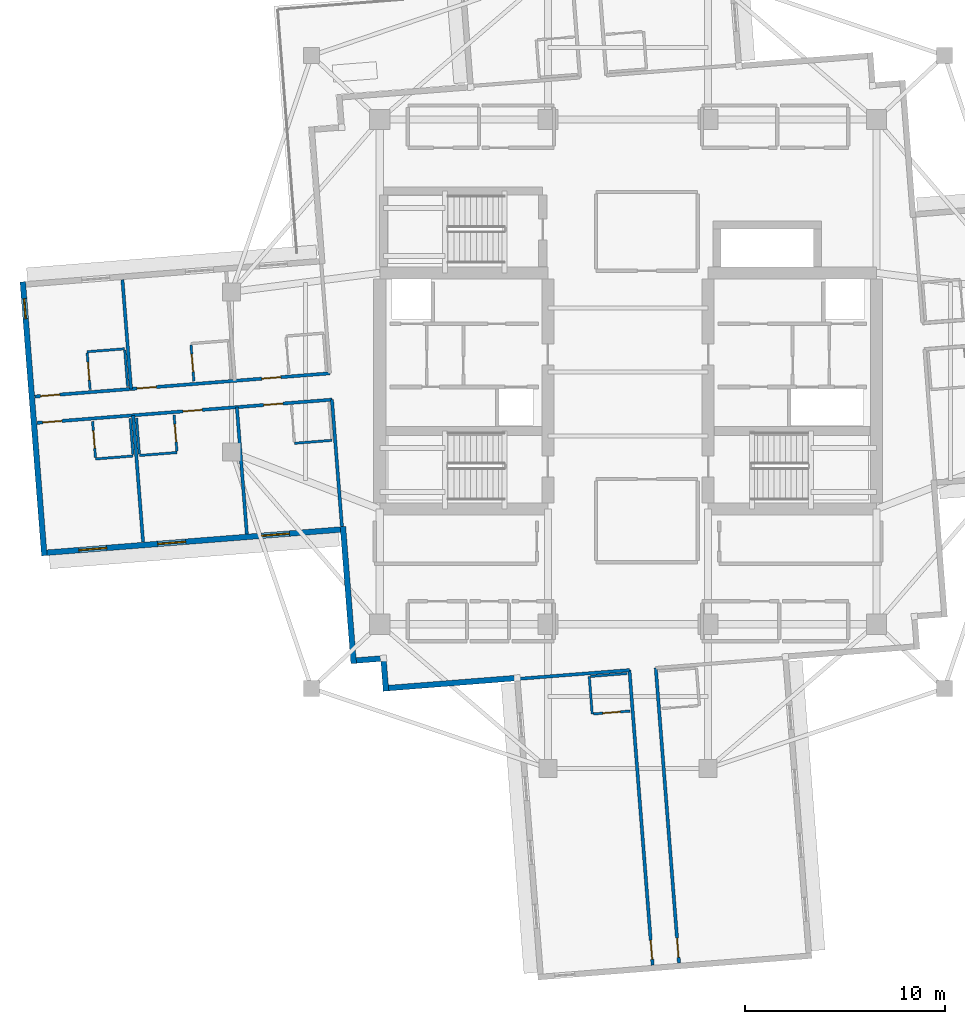
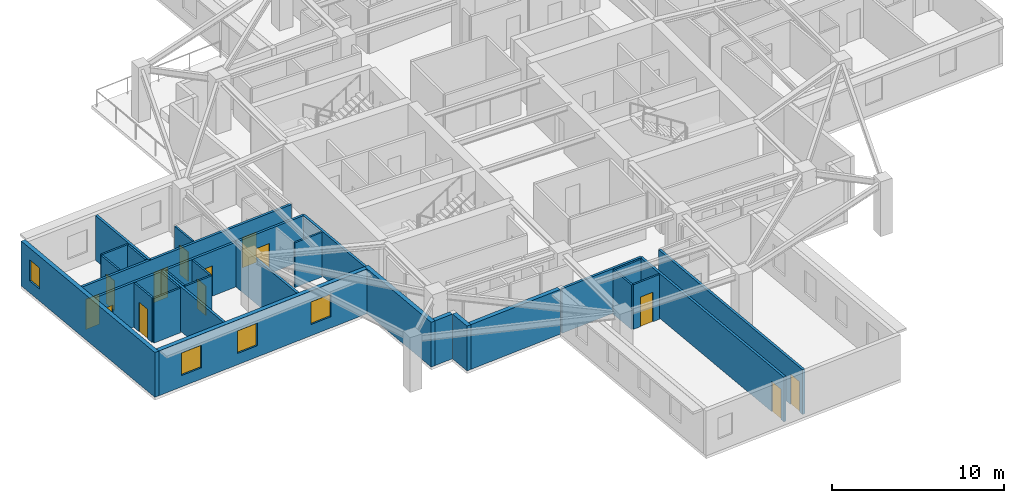
# One storey, part 3 of 13: 29 walls, 13 doors, 4 windows, 17 openings.
"""IFC4 building model written with IfcOpenShell, lengths in metres."""

from ifc_helpers import new_model, si_unit, direction, frame, frame_2d, origin, place, context, subcontext, project, spatial, rectangle, extrude, material, layer, layer_set, type_object, element, fill, save


model = new_model("IFC4")

# Units and contexts
model_context = context("Model", 3, precision=1e-05, world=origin(), true_north=direction((0.0, 1.0)))
body_context = subcontext(model_context, "Body", "Model", "MODEL_VIEW")
ifc_project = project(units=[si_unit("LENGTHUNIT", "METRE"), si_unit("AREAUNIT", "SQUARE_METRE"), si_unit("VOLUMEUNIT", "CUBIC_METRE"), si_unit("PLANEANGLEUNIT", "RADIAN"), si_unit("MASSUNIT", "GRAM", prefix="KILO")], contexts=[model_context])

# Site, building, storey
site_placement = place(None, origin())
site = spatial("IfcSite", under=ifc_project, at=site_placement, CompositionType="ELEMENT")
building_placement = place(site_placement, origin())
building = spatial("IfcBuilding", under=site, at=building_placement, Name="Qingluan Cross Belvedere", CompositionType="ELEMENT")
storey_placement = place(building_placement, frame((0.0, 0.0, 205.199951171875)))
storey = spatial("IfcBuildingStorey", under=building, at=storey_placement, Name="L51", CompositionType="ELEMENT", Elevation=205.199951171875)

# Wall, openings, doors
ifc_material_1 = material(Name="Gypsum plasterboard on steel stud acoustic partition", Category="steel")
ifc_layer_1 = layer(ifc_material_1, 0.159912109375, Name="CorridorPartition_160")
ifc_layer_set_1 = layer_set([ifc_layer_1], Name="Gypsum plasterboard on steel stud acoustic partition")
wall_type_1 = type_object("IfcWallType", Name="CorridorPartition_160", PredefinedType="PARTITIONING", material=ifc_layer_set_1)
wall_1_placement = place(storey_placement, frame((-14.890380859375, -0.068603515625, 0.0), z_axis=(0.0, 0.0, 1.0), x_axis=(-0.996917997344, -0.078450663299, 0.0)))
wall_1 = element("IfcWall", 1, at=wall_1_placement, inside=storey, type_object=wall_type_1, Name="Partition L51:W:c0", PredefinedType="PARTITIONING", context=body_context, shape_type="SweptSolid", body=[
    extrude(rectangle(XDim=14.7822265625, YDim=0.159912109375, at=frame_2d((7.39111328125, 0.0))), origin(), (0.0, 0.0, 1.0), 3.170166015625),
])
opening_1_placement = place(wall_1_placement, frame((2.4560546875, 0.0, 0.0)))
opening_1 = element("IfcOpeningElement", 2, at=opening_1_placement, cuts=wall_1, Name="Opening GD-10", PredefinedType="OPENING", context=body_context, shape_type="SweptSolid", body=[
    extrude(rectangle(XDim=0.9599609375, YDim=2.14990234375, at=frame_2d((0.47998046875, 1.074951171875))), frame((0.0, 0.08984375, 0.0), z_axis=(0.0, -1.0, 0.0), x_axis=(1.0, 0.0, 0.0)), (0.0, 0.0, 1.0), 0.179931640625),
])
opening_2_placement = place(wall_1_placement, frame((8.700927734375, 0.0, 0.0)))
opening_2 = element("IfcOpeningElement", 3, at=opening_2_placement, cuts=wall_1, Name="Opening GD-10", PredefinedType="OPENING", context=body_context, shape_type="SweptSolid", body=[
    extrude(rectangle(XDim=0.9599609375, YDim=2.14990234375, at=frame_2d((0.47998046875, 1.074951171875))), frame((0.0, 0.08984375, 0.0), z_axis=(0.0, -1.0, 0.0), x_axis=(1.0, 0.0, 0.0)), (0.0, 0.0, 1.0), 0.179931640625),
])
opening_3_placement = place(wall_1_placement, frame((13.530029296875, 0.0, 0.0)))
opening_3 = element("IfcOpeningElement", 4, at=opening_3_placement, cuts=wall_1, Name="Opening GD-10", PredefinedType="OPENING", context=body_context, shape_type="SweptSolid", body=[
    extrude(rectangle(XDim=0.9599609375, YDim=2.14990234375, at=frame_2d((0.47998046875, 1.074951171875))), frame((0.0, 0.08984375, 0.0), z_axis=(0.0, -1.0, 0.0), x_axis=(1.0, 0.0, 0.0)), (0.0, 0.0, 1.0), 0.179931640625),
])
ifc_material_2 = material(Name="Timber oak fire-rated acoustic guestroom door", Category="wood")
door_type_1 = type_object("IfcDoorType", Name="GuestEntryDoor_FD60", OperationType="NOTDEFINED", PredefinedType="DOOR", material=ifc_material_2)
door_1_placement = place(opening_1_placement, origin())
door_1 = element("IfcDoor", 5, at=door_1_placement, inside=storey, type_object=door_type_1, Name="Guest entry fire door 5107", OperationType="SINGLE_SWING_LEFT", OverallHeight=2.14990234375, OverallWidth=0.9599609375, PredefinedType="DOOR", context=body_context, shape_type="SweptSolid", body=[
    extrude(rectangle(XDim=0.9599609375, YDim=2.14990234375, at=frame_2d((0.47998046875, 1.074951171875))), frame((0.0, 0.02490234375, 0.0), z_axis=(0.0, -1.0, 0.0), x_axis=(1.0, 0.0, 0.0)), (0.0, 0.0, 1.0), 0.050048828125),
])
fill(opening_1, door_1)
door_2_placement = place(opening_2_placement, origin())
door_2 = element("IfcDoor", 6, at=door_2_placement, inside=storey, type_object=door_type_1, Name="Guest entry fire door 5108", OperationType="SINGLE_SWING_LEFT", OverallHeight=2.14990234375, OverallWidth=0.9599609375, PredefinedType="DOOR", context=body_context, shape_type="SweptSolid", body=[
    extrude(rectangle(XDim=0.9599609375, YDim=2.14990234375, at=frame_2d((0.47998046875, 1.074951171875))), frame((0.0, 0.02490234375, 0.0), z_axis=(0.0, -1.0, 0.0), x_axis=(1.0, 0.0, 0.0)), (0.0, 0.0, 1.0), 0.050048828125),
])
fill(opening_2, door_2)
door_3_placement = place(opening_3_placement, origin())
door_3 = element("IfcDoor", 7, at=door_3_placement, inside=storey, type_object=door_type_1, Name="Guest entry fire door 5109", OperationType="SINGLE_SWING_LEFT", OverallHeight=2.14990234375, OverallWidth=0.9599609375, PredefinedType="DOOR", context=body_context, shape_type="SweptSolid", body=[
    extrude(rectangle(XDim=0.9599609375, YDim=2.14990234375, at=frame_2d((0.47998046875, 1.074951171875))), frame((0.0, 0.02490234375, 0.0), z_axis=(0.0, -1.0, 0.0), x_axis=(1.0, 0.0, 0.0)), (0.0, 0.0, 1.0), 0.050048828125),
])
fill(opening_3, door_3)

# Wall
wall_2_placement = place(storey_placement, frame((-24.82080078125, -0.85009765625, 0.0), z_axis=(0.0, 0.0, 1.0), x_axis=(-0.078480781753, 0.996915626769, 0.0)))
element("IfcWall", 8, at=wall_2_placement, inside=storey, type_object=wall_type_1, Name="Partition L51:W:d0_1", PredefinedType="PARTITIONING", context=body_context, shape_type="SweptSolid", body=[
    extrude(rectangle(XDim=5.471923828125, YDim=0.159912109375, at=frame_2d((2.73583984375, 0.0))), origin(), (0.0, 0.0, 1.0), 3.170166015625),
])

# Wall, openings, doors
wall_3_placement = place(storey_placement, frame((-14.787109375, -1.384521484375, 0.0), z_axis=(0.0, 0.0, 1.0), x_axis=(-0.996917895694, -0.078451955012, 0.0)))
wall_3 = element("IfcWall", 9, at=wall_3_placement, inside=storey, type_object=wall_type_1, Name="Partition L51:W:c1", PredefinedType="PARTITIONING", context=body_context, shape_type="SweptSolid", body=[
    extrude(rectangle(XDim=14.781982421875, YDim=0.159912109375, at=frame_2d((7.39111328125, 0.0))), origin(), (0.0, 0.0, 1.0), 3.170166015625),
])
opening_4_placement = place(wall_3_placement, frame((2.4560546875, 0.0, 0.0)))
opening_4 = element("IfcOpeningElement", 10, at=opening_4_placement, cuts=wall_3, Name="Opening GD-10", PredefinedType="OPENING", context=body_context, shape_type="SweptSolid", body=[
    extrude(rectangle(XDim=0.9599609375, YDim=2.14990234375, at=frame_2d((0.47998046875, 1.074951171875))), frame((0.0, 0.08984375, 0.0), z_axis=(0.0, -1.0, 0.0), x_axis=(1.0, 0.0, 0.0)), (0.0, 0.0, 1.0), 0.179931640625),
])
opening_5_placement = place(wall_3_placement, frame((6.5009765625, 0.0, 0.0)))
opening_5 = element("IfcOpeningElement", 11, at=opening_5_placement, cuts=wall_3, Name="Opening GD-10", PredefinedType="OPENING", context=body_context, shape_type="SweptSolid", body=[
    extrude(rectangle(XDim=0.9599609375, YDim=2.14990234375, at=frame_2d((0.47998046875, 1.074951171875))), frame((0.0, 0.08984375, 0.0), z_axis=(0.0, -1.0, 0.0), x_axis=(1.0, 0.0, 0.0)), (0.0, 0.0, 1.0), 0.179931640625),
])
opening_6_placement = place(wall_3_placement, frame((13.530029296875, 0.0, 0.0)))
opening_6 = element("IfcOpeningElement", 12, at=opening_6_placement, cuts=wall_3, Name="Opening GD-10", PredefinedType="OPENING", context=body_context, shape_type="SweptSolid", body=[
    extrude(rectangle(XDim=0.9599609375, YDim=2.14990234375, at=frame_2d((0.47998046875, 1.074951171875))), frame((0.0, 0.08984375, 0.0), z_axis=(0.0, -1.0, 0.0), x_axis=(1.0, 0.0, 0.0)), (0.0, 0.0, 1.0), 0.179931640625),
])
door_4_placement = place(opening_4_placement, origin())
door_4 = element("IfcDoor", 13, at=door_4_placement, inside=storey, type_object=door_type_1, Name="Guest entry fire door 5110", OperationType="SINGLE_SWING_LEFT", OverallHeight=2.14990234375, OverallWidth=0.9599609375, PredefinedType="DOOR", context=body_context, shape_type="SweptSolid", body=[
    extrude(rectangle(XDim=0.9599609375, YDim=2.14990234375, at=frame_2d((0.47998046875, 1.074951171875))), frame((0.0, 0.02490234375, 0.0), z_axis=(0.0, -1.0, 0.0), x_axis=(1.0, 0.0, 0.0)), (0.0, 0.0, 1.0), 0.050048828125),
])
fill(opening_4, door_4)
door_5_placement = place(opening_5_placement, origin())
door_5 = element("IfcDoor", 14, at=door_5_placement, inside=storey, type_object=door_type_1, Name="Guest entry fire door 5111", OperationType="SINGLE_SWING_LEFT", OverallHeight=2.14990234375, OverallWidth=0.9599609375, PredefinedType="DOOR", context=body_context, shape_type="SweptSolid", body=[
    extrude(rectangle(XDim=0.9599609375, YDim=2.14990234375, at=frame_2d((0.47998046875, 1.074951171875))), frame((0.0, 0.02490234375, 0.0), z_axis=(0.0, -1.0, 0.0), x_axis=(1.0, 0.0, 0.0)), (0.0, 0.0, 1.0), 0.050048828125),
])
fill(opening_5, door_5)
door_6_placement = place(opening_6_placement, origin())
door_6 = element("IfcDoor", 15, at=door_6_placement, inside=storey, type_object=door_type_1, Name="Guest entry fire door 5112", OperationType="SINGLE_SWING_LEFT", OverallHeight=2.14990234375, OverallWidth=0.9599609375, PredefinedType="DOOR", context=body_context, shape_type="SweptSolid", body=[
    extrude(rectangle(XDim=0.9599609375, YDim=2.14990234375, at=frame_2d((0.47998046875, 1.074951171875))), frame((0.0, 0.02490234375, 0.0), z_axis=(0.0, -1.0, 0.0), x_axis=(1.0, 0.0, 0.0)), (0.0, 0.0, 1.0), 0.050048828125),
])
fill(opening_6, door_6)

# Walls
wall_4_placement = place(storey_placement, frame((-14.787109375, -1.384521484375, 0.0), z_axis=(0.0, 0.0, 1.0), x_axis=(0.078486363594, -0.99691518733, 0.0)))
element("IfcWall", 16, at=wall_4_placement, inside=storey, type_object=wall_type_1, Name="Partition L51:W:s1", PredefinedType="PARTITIONING", context=body_context, shape_type="SweptSolid", body=[
    extrude(rectangle(XDim=6.351806640625, YDim=0.159912109375, at=frame_2d((3.17578125, 0.0))), origin(), (0.0, 0.0, 1.0), 3.170166015625),
])
wall_5_placement = place(storey_placement, frame((-19.535400390625, -1.758056640625, 0.0), z_axis=(0.0, 0.0, 1.0), x_axis=(0.078483356311, -0.996915424087, 0.0)))
element("IfcWall", 17, at=wall_5_placement, inside=storey, type_object=wall_type_1, Name="Partition L51:W:d1_0", PredefinedType="PARTITIONING", context=body_context, shape_type="SweptSolid", body=[
    extrude(rectangle(XDim=6.35205078125, YDim=0.159912109375, at=frame_2d((3.176025390625, 0.0))), origin(), (0.0, 0.0, 1.0), 3.170166015625),
])
wall_6_placement = place(storey_placement, frame((-24.71728515625, -2.166015625, 0.0), z_axis=(0.0, 0.0, 1.0), x_axis=(0.078448164166, -0.996918194005, 0.0)))
element("IfcWall", 18, at=wall_6_placement, inside=storey, type_object=wall_type_1, Name="Partition L51:W:d1_1", PredefinedType="PARTITIONING", context=body_context, shape_type="SweptSolid", body=[
    extrude(rectangle(XDim=6.351806640625, YDim=0.159912109375, at=frame_2d((3.17578125, 0.0))), origin(), (0.0, 0.0, 1.0), 3.170166015625),
])

# Wall, opening, door
wall_7_placement = place(storey_placement, frame((1.384521484375, -14.787109375, 0.0), z_axis=(0.0, 0.0, 1.0), x_axis=(0.078451955012, -0.996917895694, 0.0)))
wall_7 = element("IfcWall", 19, at=wall_7_placement, inside=storey, type_object=wall_type_1, Name="Partition L51:S:c0", PredefinedType="PARTITIONING", context=body_context, shape_type="SweptSolid", body=[
    extrude(rectangle(XDim=14.781982421875, YDim=0.159912109375, at=frame_2d((7.39111328125, 0.0))), origin(), (0.0, 0.0, 1.0), 3.170166015625),
])
opening_7_placement = place(wall_7_placement, frame((13.530029296875, 0.0, 0.0)))
opening_7 = element("IfcOpeningElement", 20, at=opening_7_placement, cuts=wall_7, Name="Opening GD-10", PredefinedType="OPENING", context=body_context, shape_type="SweptSolid", body=[
    extrude(rectangle(XDim=0.9599609375, YDim=2.14990234375, at=frame_2d((0.47998046875, 1.074951171875))), frame((0.0, 0.08984375, 0.0), z_axis=(0.0, -1.0, 0.0), x_axis=(1.0, 0.0, 0.0)), (0.0, 0.0, 1.0), 0.179931640625),
])
door_7_placement = place(opening_7_placement, origin())
door_7 = element("IfcDoor", 21, at=door_7_placement, inside=storey, type_object=door_type_1, Name="Guest entry fire door 5117", OperationType="SINGLE_SWING_LEFT", OverallHeight=2.14990234375, OverallWidth=0.9599609375, PredefinedType="DOOR", context=body_context, shape_type="SweptSolid", body=[
    extrude(rectangle(XDim=0.9599609375, YDim=2.14990234375, at=frame_2d((0.47998046875, 1.074951171875))), frame((0.0, 0.02490234375, 0.0), z_axis=(0.0, -1.0, 0.0), x_axis=(1.0, 0.0, 0.0)), (0.0, 0.0, 1.0), 0.050048828125),
])
fill(opening_7, door_7)

wall_8_placement = place(storey_placement, frame((0.068603515625, -14.890380859375, 0.0), z_axis=(0.0, 0.0, 1.0), x_axis=(0.078450663299, -0.996917997344, 0.0)))
wall_8 = element("IfcWall", 22, at=wall_8_placement, inside=storey, type_object=wall_type_1, Name="Partition L51:S:c1", PredefinedType="PARTITIONING", context=body_context, shape_type="SweptSolid", body=[
    extrude(rectangle(XDim=14.7822265625, YDim=0.159912109375, at=frame_2d((7.39111328125, 0.0))), origin(), (0.0, 0.0, 1.0), 3.170166015625),
])
opening_8_placement = place(wall_8_placement, frame((13.530029296875, 0.0, 0.0)))
opening_8 = element("IfcOpeningElement", 23, at=opening_8_placement, cuts=wall_8, Name="Opening GD-10", PredefinedType="OPENING", context=body_context, shape_type="SweptSolid", body=[
    extrude(rectangle(XDim=0.9599609375, YDim=2.14990234375, at=frame_2d((0.47998046875, 1.074951171875))), frame((0.0, 0.08984375, 0.0), z_axis=(0.0, -1.0, 0.0), x_axis=(1.0, 0.0, 0.0)), (0.0, 0.0, 1.0), 0.179931640625),
])
door_8_placement = place(opening_8_placement, origin())
door_8 = element("IfcDoor", 24, at=door_8_placement, inside=storey, type_object=door_type_1, Name="Guest entry fire door 5118", OperationType="SINGLE_SWING_LEFT", OverallHeight=2.14990234375, OverallWidth=0.9599609375, PredefinedType="DOOR", context=body_context, shape_type="SweptSolid", body=[
    extrude(rectangle(XDim=0.9599609375, YDim=2.14990234375, at=frame_2d((0.47998046875, 1.074951171875))), frame((0.0, 0.02490234375, 0.0), z_axis=(0.0, -1.0, 0.0), x_axis=(1.0, 0.0, 0.0)), (0.0, 0.0, 1.0), 0.050048828125),
])
fill(opening_8, door_8)

# Wall
wall_9_placement = place(storey_placement, frame((0.068603515625, -14.890380859375, 0.0), z_axis=(0.0, 0.0, 1.0), x_axis=(-0.996914361549, -0.078496851772, 0.0)))
element("IfcWall", 25, at=wall_9_placement, inside=storey, type_object=wall_type_1, Name="Partition L51:S:s1", PredefinedType="PARTITIONING", context=body_context, shape_type="SweptSolid", body=[
    extrude(rectangle(XDim=5.6201171875, YDim=0.159912109375, at=frame_2d((2.81005859375, 0.0))), origin(), (0.0, 0.0, 1.0), 3.170166015625),
])

# Wall, opening, door
ifc_material_3 = material(Name="Moisture-resistant gypsum board lining")
ifc_layer_2 = layer(ifc_material_3, 0.1201171875, Name="EnsuiteWetPartition_120")
ifc_layer_set_2 = layer_set([ifc_layer_2], Name="Moisture-resistant gypsum board lining")
wall_type_2 = type_object("IfcWallType", Name="EnsuiteWetPartition_120", PredefinedType="PARTITIONING", material=ifc_layer_set_2)
wall_10_placement = place(storey_placement, frame((-21.68359375, -0.462646484375, 0.0), z_axis=(0.0, 0.0, 1.0), x_axis=(-0.0784709492, 0.996916400774, 0.0)))
wall_10 = element("IfcWall", 26, at=wall_10_placement, inside=storey, type_object=wall_type_2, Name="Partition L51:W:bs0_1", PredefinedType="PARTITIONING", context=body_context, shape_type="SweptSolid", body=[
    extrude(rectangle(XDim=1.820068359375, YDim=0.1201171875, at=frame_2d((0.91015625, 0.0))), origin(), (0.0, 0.0, 1.0), 3.170166015625),
])
opening_9_placement = place(wall_10_placement, frame((0.469970703125, 0.0, 0.0)))
opening_9 = element("IfcOpeningElement", 27, at=opening_9_placement, cuts=wall_10, Name="Opening BD-09", PredefinedType="OPENING", context=body_context, shape_type="SweptSolid", body=[
    extrude(rectangle(XDim=0.8798828125, YDim=2.10009765625, at=frame_2d((0.43994140625, 1.050048828125))), frame((0.0, 0.070068359375, 0.0), z_axis=(0.0, -1.0, 0.0), x_axis=(1.0, 0.0, 0.0)), (0.0, 0.0, 1.0), 0.14013671875),
])
ifc_material_4 = material(Name="Moisture-sealed timber en-suite door", Category="wood")
door_type_2 = type_object("IfcDoorType", Name="BathroomDoor_880", OperationType="NOTDEFINED", PredefinedType="DOOR", material=ifc_material_4)
door_9_placement = place(opening_9_placement, origin())
door_9 = element("IfcDoor", 28, at=door_9_placement, inside=storey, type_object=door_type_2, Name="Bathroom door 5108", OperationType="SINGLE_SWING_RIGHT", OverallHeight=2.10009765625, OverallWidth=0.8798828125, PredefinedType="DOOR", context=body_context, shape_type="SweptSolid", body=[
    extrude(rectangle(XDim=0.8798828125, YDim=2.10009765625, at=frame_2d((0.43994140625, 1.050048828125))), frame((0.0, 0.02490234375, 0.0), z_axis=(0.0, -1.0, 0.0), x_axis=(1.0, 0.0, 0.0)), (0.0, 0.0, 1.0), 0.050048828125),
])
fill(opening_9, door_9)

wall_11_placement = place(storey_placement, frame((-26.865478515625, -0.87060546875, 0.0), z_axis=(0.0, 0.0, 1.0), x_axis=(-0.0784709492, 0.996916400774, 0.0)))
wall_11 = element("IfcWall", 29, at=wall_11_placement, inside=storey, type_object=wall_type_2, Name="Partition L51:W:bs0_2", PredefinedType="PARTITIONING", context=body_context, shape_type="SweptSolid", body=[
    extrude(rectangle(XDim=1.820068359375, YDim=0.1201171875, at=frame_2d((0.91015625, 0.0))), origin(), (0.0, 0.0, 1.0), 3.170166015625),
])
opening_10_placement = place(wall_11_placement, frame((0.469970703125, 0.0, 0.0)))
opening_10 = element("IfcOpeningElement", 30, at=opening_10_placement, cuts=wall_11, Name="Opening BD-09", PredefinedType="OPENING", context=body_context, shape_type="SweptSolid", body=[
    extrude(rectangle(XDim=0.8798828125, YDim=2.10009765625, at=frame_2d((0.43994140625, 1.050048828125))), frame((0.0, 0.070068359375, 0.0), z_axis=(0.0, -1.0, 0.0), x_axis=(1.0, 0.0, 0.0)), (0.0, 0.0, 1.0), 0.14013671875),
])
door_10_placement = place(opening_10_placement, origin())
door_10 = element("IfcDoor", 31, at=door_10_placement, inside=storey, type_object=door_type_2, Name="Bathroom door 5109", OperationType="SINGLE_SWING_RIGHT", OverallHeight=2.10009765625, OverallWidth=0.8798828125, PredefinedType="DOOR", context=body_context, shape_type="SweptSolid", body=[
    extrude(rectangle(XDim=0.8798828125, YDim=2.10009765625, at=frame_2d((0.43994140625, 1.050048828125))), frame((0.0, 0.02490234375, 0.0), z_axis=(0.0, -1.0, 0.0), x_axis=(1.0, 0.0, 0.0)), (0.0, 0.0, 1.0), 0.050048828125),
])
fill(opening_10, door_10)

# Walls
wall_12_placement = place(storey_placement, frame((-24.9912109375, -0.722900390625, 0.0), z_axis=(0.0, 0.0, 1.0), x_axis=(-0.078481444107, 0.996915574626, 0.0)))
element("IfcWall", 32, at=wall_12_placement, inside=storey, type_object=wall_type_2, Name="Partition L51:W:bw0_2", PredefinedType="PARTITIONING", context=body_context, shape_type="SweptSolid", body=[
    extrude(rectangle(XDim=1.81982421875, YDim=0.1201171875, at=frame_2d((0.909912109375, 0.0))), origin(), (0.0, 0.0, 1.0), 3.170166015625),
])
for number, where, z_axis, x_axis, name in (
    (33, (-25.13916015625, 1.15625, 0.0), (0.0, 0.0, 1.0), (-0.996919293781, -0.07843418698, 0.0), "Partition L51:W:bn0_2"),
    (34, (-14.78759765625, -3.415771484375, 0.0), (0.0, 0.0, 1.0), (-0.996919293781, -0.07843418698, 0.0), "Partition L51:W:bc1_0"),
):
    element("IfcWall", number, at=place(storey_placement, frame(where, z_axis=z_axis, x_axis=x_axis)), inside=storey, type_object=wall_type_2, Name=name, PredefinedType="PARTITIONING", context=body_context, shape_type="SweptSolid", body=[
        extrude(rectangle(XDim=1.880126953125, YDim=0.1201171875, at=frame_2d((0.93994140625, 0.0))), origin(), (0.0, 0.0, 1.0), 3.170166015625),
    ])

# Wall, opening, door
wall_13_placement = place(storey_placement, frame((-22.52978515625, -3.9599609375, 0.0), z_axis=(0.0, 0.0, 1.0), x_axis=(-0.0784709492, 0.996916400774, 0.0)))
wall_13 = element("IfcWall", 35, at=wall_13_placement, inside=storey, type_object=wall_type_2, Name="Partition L51:W:bs1_1", PredefinedType="PARTITIONING", context=body_context, shape_type="SweptSolid", body=[
    extrude(rectangle(XDim=1.820068359375, YDim=0.1201171875, at=frame_2d((0.91015625, 0.0))), origin(), (0.0, 0.0, 1.0), 3.170166015625),
])
opening_11_placement = place(wall_13_placement, frame((0.469970703125, 0.0, 0.0)))
opening_11 = element("IfcOpeningElement", 36, at=opening_11_placement, cuts=wall_13, Name="Opening BD-09", PredefinedType="OPENING", context=body_context, shape_type="SweptSolid", body=[
    extrude(rectangle(XDim=0.8798828125, YDim=2.10009765625, at=frame_2d((0.43994140625, 1.050048828125))), frame((0.0, 0.070068359375, 0.0), z_axis=(0.0, -1.0, 0.0), x_axis=(1.0, 0.0, 0.0)), (0.0, 0.0, 1.0), 0.14013671875),
])
door_11_placement = place(opening_11_placement, origin())
door_11 = element("IfcDoor", 37, at=door_11_placement, inside=storey, type_object=door_type_2, Name="Bathroom door 5111", OperationType="SINGLE_SWING_RIGHT", OverallHeight=2.10009765625, OverallWidth=0.8798828125, PredefinedType="DOOR", context=body_context, shape_type="SweptSolid", body=[
    extrude(rectangle(XDim=0.8798828125, YDim=2.10009765625, at=frame_2d((0.43994140625, 1.050048828125))), frame((0.0, 0.02490234375, 0.0), z_axis=(0.0, -1.0, 0.0), x_axis=(1.0, 0.0, 0.0)), (0.0, 0.0, 1.0), 0.050048828125),
])
fill(opening_11, door_11)

# Walls
wall_14_placement = place(storey_placement, frame((-24.404052734375, -4.107421875, 0.0), z_axis=(0.0, 0.0, 1.0), x_axis=(-0.0784709492, 0.996916400774, 0.0)))
element("IfcWall", 38, at=wall_14_placement, inside=storey, type_object=wall_type_2, Name="Partition L51:W:bw1_1", PredefinedType="PARTITIONING", context=body_context, shape_type="SweptSolid", body=[
    extrude(rectangle(XDim=1.820068359375, YDim=0.1201171875, at=frame_2d((0.91015625, 0.0))), origin(), (0.0, 0.0, 1.0), 3.170166015625),
])
wall_15_placement = place(storey_placement, frame((-22.524658203125, -4.024658203125, 0.0), z_axis=(0.0, 0.0, 1.0), x_axis=(-0.996919293781, -0.07843418698, 0.0)))
element("IfcWall", 39, at=wall_15_placement, inside=storey, type_object=wall_type_2, Name="Partition L51:W:bc1_1", PredefinedType="PARTITIONING", context=body_context, shape_type="SweptSolid", body=[
    extrude(rectangle(XDim=1.880126953125, YDim=0.1201171875, at=frame_2d((0.93994140625, 0.0))), origin(), (0.0, 0.0, 1.0), 3.170166015625),
])

# Wall, opening, door
wall_16_placement = place(storey_placement, frame((-26.59716796875, -4.280029296875, 0.0), z_axis=(0.0, 0.0, 1.0), x_axis=(-0.0784709492, 0.996916400774, 0.0)))
wall_16 = element("IfcWall", 40, at=wall_16_placement, inside=storey, type_object=wall_type_2, Name="Partition L51:W:bs1_2", PredefinedType="PARTITIONING", context=body_context, shape_type="SweptSolid", body=[
    extrude(rectangle(XDim=1.820068359375, YDim=0.1201171875, at=frame_2d((0.91015625, 0.0))), origin(), (0.0, 0.0, 1.0), 3.170166015625),
])
opening_12_placement = place(wall_16_placement, frame((0.469970703125, 0.0, 0.0)))
opening_12 = element("IfcOpeningElement", 41, at=opening_12_placement, cuts=wall_16, Name="Opening BD-09", PredefinedType="OPENING", context=body_context, shape_type="SweptSolid", body=[
    extrude(rectangle(XDim=0.8798828125, YDim=2.10009765625, at=frame_2d((0.43994140625, 1.050048828125))), frame((0.0, 0.070068359375, 0.0), z_axis=(0.0, -1.0, 0.0), x_axis=(1.0, 0.0, 0.0)), (0.0, 0.0, 1.0), 0.14013671875),
])
door_12_placement = place(opening_12_placement, origin())
door_12 = element("IfcDoor", 42, at=door_12_placement, inside=storey, type_object=door_type_2, Name="Bathroom door 5112", OperationType="SINGLE_SWING_RIGHT", OverallHeight=2.10009765625, OverallWidth=0.8798828125, PredefinedType="DOOR", context=body_context, shape_type="SweptSolid", body=[
    extrude(rectangle(XDim=0.8798828125, YDim=2.10009765625, at=frame_2d((0.43994140625, 1.050048828125))), frame((0.0, 0.02490234375, 0.0), z_axis=(0.0, -1.0, 0.0), x_axis=(1.0, 0.0, 0.0)), (0.0, 0.0, 1.0), 0.050048828125),
])
fill(opening_12, door_12)

# Walls
wall_17_placement = place(storey_placement, frame((-24.722900390625, -4.132568359375, 0.0), z_axis=(0.0, 0.0, 1.0), x_axis=(-0.0784709492, 0.996916400774, 0.0)))
element("IfcWall", 43, at=wall_17_placement, inside=storey, type_object=wall_type_2, Name="Partition L51:W:bw1_2", PredefinedType="PARTITIONING", context=body_context, shape_type="SweptSolid", body=[
    extrude(rectangle(XDim=1.820068359375, YDim=0.1201171875, at=frame_2d((0.91015625, 0.0))), origin(), (0.0, 0.0, 1.0), 3.170166015625),
])
wall_18_placement = place(storey_placement, frame((-24.718017578125, -4.197265625, 0.0), z_axis=(0.0, 0.0, 1.0), x_axis=(-0.99691849475, -0.078444342213, 0.0)))
element("IfcWall", 44, at=wall_18_placement, inside=storey, type_object=wall_type_2, Name="Partition L51:W:bc1_2", PredefinedType="PARTITIONING", context=body_context, shape_type="SweptSolid", body=[
    extrude(rectangle(XDim=1.8798828125, YDim=0.1201171875, at=frame_2d((0.93994140625, 0.0))), origin(), (0.0, 0.0, 1.0), 3.170166015625),
])

# Wall, opening, door
wall_19_placement = place(storey_placement, frame((-1.725341796875, -17.077880859375, 0.0), z_axis=(0.0, 0.0, 1.0), x_axis=(0.996926885478, 0.078337634704, 0.0)))
wall_19 = element("IfcWall", 45, at=wall_19_placement, inside=storey, type_object=wall_type_2, Name="Partition L51:S:bs1_0", PredefinedType="PARTITIONING", context=body_context, shape_type="SweptSolid", body=[
    extrude(rectangle(XDim=1.820068359375, YDim=0.1201171875, at=frame_2d((0.91015625, 0.0))), origin(), (0.0, 0.0, 1.0), 3.170166015625),
])
opening_13_placement = place(wall_19_placement, frame((0.469970703125, 0.0, 0.0)))
opening_13 = element("IfcOpeningElement", 46, at=opening_13_placement, cuts=wall_19, Name="Opening BD-09", PredefinedType="OPENING", context=body_context, shape_type="SweptSolid", body=[
    extrude(rectangle(XDim=0.8798828125, YDim=2.10009765625, at=frame_2d((0.43994140625, 1.050048828125))), frame((0.0, 0.070068359375, 0.0), z_axis=(0.0, -1.0, 0.0), x_axis=(1.0, 0.0, 0.0)), (0.0, 0.0, 1.0), 0.14013671875),
])
door_13_placement = place(opening_13_placement, origin())
door_13 = element("IfcDoor", 47, at=door_13_placement, inside=storey, type_object=door_type_2, Name="Bathroom door 5118", OperationType="SINGLE_SWING_RIGHT", OverallHeight=2.10009765625, OverallWidth=0.8798828125, PredefinedType="DOOR", context=body_context, shape_type="SweptSolid", body=[
    extrude(rectangle(XDim=0.8798828125, YDim=2.10009765625, at=frame_2d((0.43994140625, 1.050048828125))), frame((0.0, 0.02490234375, 0.0), z_axis=(0.0, -1.0, 0.0), x_axis=(1.0, 0.0, 0.0)), (0.0, 0.0, 1.0), 0.050048828125),
])
fill(opening_13, door_13)

# Walls
wall_20_placement = place(storey_placement, frame((-1.872802734375, -15.203857421875, 0.0), z_axis=(0.0, 0.0, 1.0), x_axis=(0.996915574626, 0.078481444107, 0.0)))
element("IfcWall", 48, at=wall_20_placement, inside=storey, type_object=wall_type_2, Name="Partition L51:S:bw1_0", PredefinedType="PARTITIONING", context=body_context, shape_type="SweptSolid", body=[
    extrude(rectangle(XDim=1.81982421875, YDim=0.1201171875, at=frame_2d((0.909912109375, 0.0))), origin(), (0.0, 0.0, 1.0), 3.170166015625),
])
wall_21_placement = place(storey_placement, frame((-1.937744140625, -15.208984375, 0.0), z_axis=(0.0, 0.0, 1.0), x_axis=(0.078444342213, -0.99691849475, 0.0)))
element("IfcWall", 49, at=wall_21_placement, inside=storey, type_object=wall_type_2, Name="Partition L51:S:bc1_0", PredefinedType="PARTITIONING", context=body_context, shape_type="SweptSolid", body=[
    extrude(rectangle(XDim=1.8798828125, YDim=0.1201171875, at=frame_2d((0.93994140625, 0.0))), origin(), (0.0, 0.0, 1.0), 3.170166015625),
])

# Wall, openings, windows
ifc_material_5 = material(Name="Precast concrete C45", Category="concrete")
ifc_layer_3 = layer(ifc_material_5, 0.280029296875, Name="PrecastFacadeWall_280")
ifc_layer_set_3 = layer_set([ifc_layer_3], Name="Precast concrete C45")
wall_type_3 = type_object("IfcWallType", Name="PrecastFacadeWall_280", PredefinedType="STANDARD", material=ifc_layer_set_3)
wall_22_placement = place(storey_placement, frame((-29.021484375, -9.02490234375, 0.0), z_axis=(0.0, 0.0, 1.0), x_axis=(0.996917526837, 0.078456642068, 0.0)))
wall_22 = element("IfcWall", 50, at=wall_22_placement, inside=storey, type_object=wall_type_3, Name="Facade wall L51-WB", PredefinedType="STANDARD", context=body_context, shape_type="SweptSolid", body=[
    extrude(rectangle(XDim=14.7001953125, YDim=0.280029296875, at=frame_2d((7.35009765625, 0.0))), origin(), (0.0, 0.0, 1.0), 3.179931640625),
])
opening_14_placement = place(wall_22_placement, frame((1.60009765625, 0.0, 0.800048828125)))
opening_14 = element("IfcOpeningElement", 51, at=opening_14_placement, cuts=wall_22, Name="Opening W-01", PredefinedType="OPENING", context=body_context, shape_type="SweptSolid", body=[
    extrude(rectangle(XDim=1.39990234375, YDim=1.60009765625, at=frame_2d((0.699951171875, 0.800048828125))), frame((0.0, 0.14990234375, 0.0), z_axis=(0.0, -1.0, 0.0), x_axis=(1.0, 0.0, 0.0)), (0.0, 0.0, 1.0), 0.300048828125),
])
opening_15_placement = place(wall_22_placement, frame((5.550048828125, 0.0, 0.800048828125)))
opening_15 = element("IfcOpeningElement", 52, at=opening_15_placement, cuts=wall_22, Name="Opening W-01", PredefinedType="OPENING", context=body_context, shape_type="SweptSolid", body=[
    extrude(rectangle(XDim=1.39990234375, YDim=1.60009765625, at=frame_2d((0.699951171875, 0.800048828125))), frame((0.0, 0.14990234375, 0.0), z_axis=(0.0, -1.0, 0.0), x_axis=(1.0, 0.0, 0.0)), (0.0, 0.0, 1.0), 0.300048828125),
])
opening_16_placement = place(wall_22_placement, frame((10.75, 0.0, 0.800048828125)))
opening_16 = element("IfcOpeningElement", 53, at=opening_16_placement, cuts=wall_22, Name="Opening W-01", PredefinedType="OPENING", context=body_context, shape_type="SweptSolid", body=[
    extrude(rectangle(XDim=1.39990234375, YDim=1.60009765625, at=frame_2d((0.699951171875, 0.800048828125))), frame((0.0, 0.14990234375, 0.0), z_axis=(0.0, -1.0, 0.0), x_axis=(1.0, 0.0, 0.0)), (0.0, 0.0, 1.0), 0.300048828125),
])
ifc_material_6 = material(Name="Thermally broken triple Low-E glass in aluminium frame", Category="aluminium")
window_type_1 = type_object("IfcWindowType", Name="TriRibbonWin_1400x1600", PartitioningType="SINGLE_PANEL", PredefinedType="WINDOW", material=ifc_material_6)
window_1_placement = place(opening_14_placement, origin())
window_1 = element("IfcWindow", 54, at=window_1_placement, inside=storey, type_object=window_type_1, Name="Ribbon window L51-WB-1", OverallHeight=1.60009765625, OverallWidth=1.39990234375, PartitioningType="SINGLE_PANEL", PredefinedType="WINDOW", context=body_context, shape_type="SweptSolid", body=[
    extrude(rectangle(XDim=1.39990234375, YDim=1.60009765625, at=frame_2d((0.699951171875, 0.800048828125))), frame((0.0, 0.030029296875, 0.0), z_axis=(0.0, -1.0, 0.0), x_axis=(1.0, 0.0, 0.0)), (0.0, 0.0, 1.0), 0.06005859375),
])
fill(opening_14, window_1)
window_2_placement = place(opening_15_placement, origin())
window_2 = element("IfcWindow", 55, at=window_2_placement, inside=storey, type_object=window_type_1, Name="Ribbon window L51-WB-2", OverallHeight=1.60009765625, OverallWidth=1.39990234375, PartitioningType="SINGLE_PANEL", PredefinedType="WINDOW", context=body_context, shape_type="SweptSolid", body=[
    extrude(rectangle(XDim=1.39990234375, YDim=1.60009765625, at=frame_2d((0.699951171875, 0.800048828125))), frame((0.0, 0.030029296875, 0.0), z_axis=(0.0, -1.0, 0.0), x_axis=(1.0, 0.0, 0.0)), (0.0, 0.0, 1.0), 0.06005859375),
])
fill(opening_15, window_2)
window_3_placement = place(opening_16_placement, origin())
window_3 = element("IfcWindow", 56, at=window_3_placement, inside=storey, type_object=window_type_1, Name="Ribbon window L51-WB-3", OverallHeight=1.60009765625, OverallWidth=1.39990234375, PartitioningType="SINGLE_PANEL", PredefinedType="WINDOW", context=body_context, shape_type="SweptSolid", body=[
    extrude(rectangle(XDim=1.39990234375, YDim=1.60009765625, at=frame_2d((0.699951171875, 0.800048828125))), frame((0.0, 0.030029296875, 0.0), z_axis=(0.0, -1.0, 0.0), x_axis=(1.0, 0.0, 0.0)), (0.0, 0.0, 1.0), 0.06005859375),
])
fill(opening_16, window_3)

# Wall, opening, window
wall_23_placement = place(storey_placement, frame((-30.226318359375, 4.502197265625, 0.0), z_axis=(0.0, 0.0, 1.0), x_axis=(0.078457226018, -0.996917480881, 0.0)))
wall_23 = element("IfcWall", 57, at=wall_23_placement, inside=storey, type_object=wall_type_3, Name="Arm tip precast facade wall L51-W", PredefinedType="STANDARD", context=body_context, shape_type="SweptSolid", body=[
    extrude(rectangle(XDim=13.7197265625, YDim=0.280029296875, at=frame_2d((6.85986328125, 0.0))), origin(), (0.0, 0.0, 1.0), 3.179931640625),
])
opening_17_placement = place(wall_23_placement, frame((0.85009765625, 0.0, 0.85009765625)))
opening_17 = element("IfcOpeningElement", 58, at=opening_17_placement, cuts=wall_23, Name="Opening W-03", PredefinedType="OPENING", context=body_context, shape_type="SweptSolid", body=[
    extrude(rectangle(XDim=1.0, YDim=1.5, at=frame_2d((0.5, 0.75))), frame((0.0, 0.14990234375, 0.0), z_axis=(0.0, -1.0, 0.0), x_axis=(1.0, 0.0, 0.0)), (0.0, 0.0, 1.0), 0.300048828125),
])
ifc_material_7 = material(Name="Thermally broken triple Low-E glass in aluminium frame", Category="aluminium")
window_type_2 = type_object("IfcWindowType", Name="TriApexWin_1000x1500", PartitioningType="SINGLE_PANEL", PredefinedType="WINDOW", material=ifc_material_7)
window_4_placement = place(opening_17_placement, origin())
window_4 = element("IfcWindow", 59, at=window_4_placement, inside=storey, type_object=window_type_2, Name="Arm tip triangular window L51-W", OverallHeight=1.5, OverallWidth=1.0, PartitioningType="SINGLE_PANEL", PredefinedType="WINDOW", context=body_context, shape_type="SweptSolid", body=[
    extrude(rectangle(XDim=1.0, YDim=1.5, at=frame_2d((0.5, 0.75))), frame((0.0, 0.030029296875, 0.0), z_axis=(0.0, -1.0, 0.0), x_axis=(1.0, 0.0, 0.0)), (0.0, 0.0, 1.0), 0.06005859375),
])
fill(opening_17, window_4)

# Walls
wall_24_placement = place(storey_placement, frame((-14.238037109375, -7.720947265625, 0.0), z_axis=(0.0, 0.0, 1.0), x_axis=(0.078438149236, -0.996918982036, 0.0)))
element("IfcWall", 60, at=wall_24_placement, inside=storey, type_object=wall_type_3, Name="Corner wall L51-SW1", PredefinedType="STANDARD", context=body_context, shape_type="SweptSolid", body=[
    extrude(rectangle(XDim=6.860107421875, YDim=0.280029296875, at=frame_2d((3.43017578125, 0.0))), origin(), (0.0, 0.0, 1.0), 3.179931640625),
])
wall_25_placement = place(storey_placement, frame((-13.5712890625, -14.4091796875, 0.0), z_axis=(0.0, 0.0, 1.0), x_axis=(0.996918772, 0.078440818672, 0.0)))
element("IfcWall", 61, at=wall_25_placement, inside=storey, type_object=wall_type_3, Name="Corner wall L51-SW2", PredefinedType="STANDARD", context=body_context, shape_type="SweptSolid", body=[
    extrude(rectangle(XDim=1.219970703125, YDim=0.280029296875, at=frame_2d((0.60986328125, 0.0))), origin(), (0.0, 0.0, 1.0), 3.179931640625),
])
wall_26_placement = place(storey_placement, frame((-12.20458984375, -14.442138671875, 0.0), z_axis=(0.0, 0.0, 1.0), x_axis=(0.078451338629, -0.9969179442, 0.0)))
element("IfcWall", 62, at=wall_26_placement, inside=storey, type_object=wall_type_3, Name="Corner wall L51-SW3", PredefinedType="STANDARD", context=body_context, shape_type="SweptSolid", body=[
    extrude(rectangle(XDim=1.5, YDim=0.280029296875, at=frame_2d((0.75, 0.0))), origin(), (0.0, 0.0, 1.0), 3.179931640625),
])
wall_27_placement = place(storey_placement, frame((-11.958251953125, -15.786865234375, 0.0), z_axis=(0.0, 0.0, 1.0), x_axis=(0.996916125428, 0.078474447191, 0.0)))
element("IfcWall", 63, at=wall_27_placement, inside=storey, type_object=wall_type_3, Name="Corner wall L51-SW4", PredefinedType="STANDARD", context=body_context, shape_type="SweptSolid", body=[
    extrude(rectangle(XDim=6.300048828125, YDim=0.280029296875, at=frame_2d((3.14990234375, 0.0))), origin(), (0.0, 0.0, 1.0), 3.179931640625),
])

save(model, "model.ifc")
